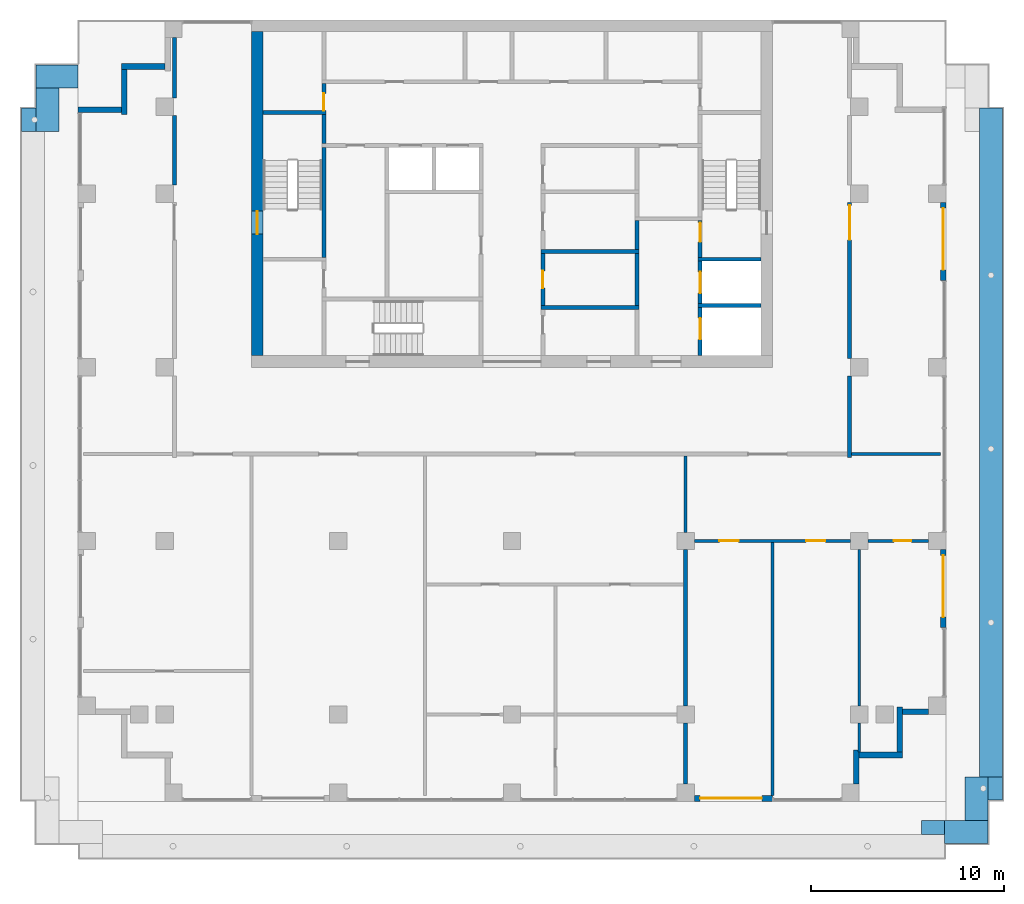
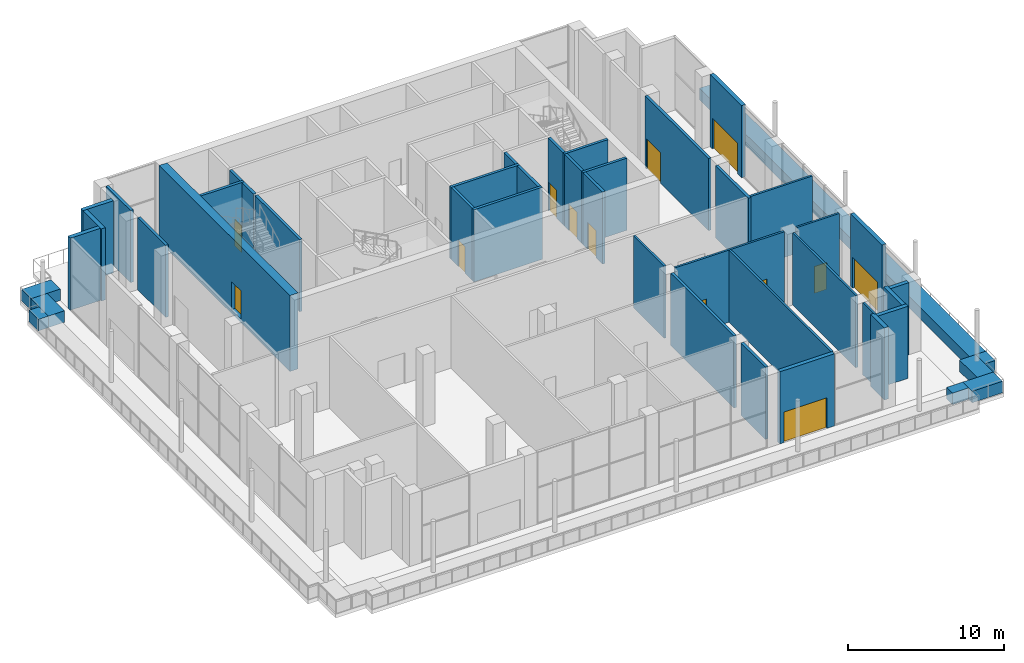
# One storey, part 8 of 13: 46 walls, 13 doors, 13 openings.
"""IFC4 building model written with IfcOpenShell, lengths in metres."""

from ifc_helpers import new_model, si_unit, direction, frame, frame_2d, origin, place, context, subcontext, project, spatial, rectangle, extrude, material, layer, layer_set, type_object, element, fill, save


model = new_model("IFC4")

# Units and contexts
model_context = context("Model", 3, precision=1e-05, world=origin(), true_north=direction((0.0, 1.0)))
body_context = subcontext(model_context, "Body", "Model", "MODEL_VIEW")
ifc_project = project(units=[si_unit("LENGTHUNIT", "METRE"), si_unit("AREAUNIT", "SQUARE_METRE"), si_unit("VOLUMEUNIT", "CUBIC_METRE"), si_unit("PLANEANGLEUNIT", "RADIAN"), si_unit("MASSUNIT", "GRAM", prefix="KILO")], contexts=[model_context])

# Site, building, storey
site_placement = place(None, origin())
site = spatial("IfcSite", under=ifc_project, at=site_placement, CompositionType="ELEMENT")
building_placement = place(site_placement, origin())
building = spatial("IfcBuilding", under=site, at=building_placement, Name="Orbiselva Terraces", CompositionType="ELEMENT")
storey_placement = place(building_placement, frame((0.0, 0.0, 297.4)))
storey = spatial("IfcBuildingStorey", under=building, at=storey_placement, Name="L74", CompositionType="ELEMENT", Elevation=297.4)

# Wall, opening, door
ifc_material_1 = material(Name="Concrete C80/95", Category="concrete")
ifc_layer_1 = layer(ifc_material_1, 0.6)
ifc_layer_set_1 = layer_set([ifc_layer_1], Name="Concrete C80/95")
wall_type_1 = type_object("IfcWallType", Name="CORE WALL 600", PredefinedType="SHEAR", material=ifc_layer_set_1)
wall_1_placement = place(storey_placement, frame((-13.2, 21.9, -0.3), z_axis=(0.0, 0.0, 1.0), x_axis=(0.0, -1.0, 0.0)))
wall_1 = element("IfcWall", 1, at=wall_1_placement, inside=storey, type_object=wall_type_1, Name="Core wall L74 west", PredefinedType="SHEAR", context=body_context, shape_type="SweptSolid", body=[
    extrude(rectangle(XDim=16.8, YDim=0.6, at=frame_2d((8.4, 0.0))), origin(), (0.0, 0.0, 1.0), 5.95),
])
opening_1_placement = place(wall_1_placement, frame((9.3, 0.0, 0.3)))
opening_1 = element("IfcOpeningElement", 2, at=opening_1_placement, cuts=wall_1, Name="Opening DS1200", PredefinedType="OPENING", context=body_context, shape_type="SweptSolid", body=[
    extrude(rectangle(XDim=1.2, YDim=2.2, at=frame_2d((0.6, 1.1))), frame((0.0, 0.31, 0.0), z_axis=(0.0, -1.0, 0.0), x_axis=(1.0, 0.0, 0.0)), (0.0, 0.0, 1.0), 0.62),
])
ifc_material_2 = material(Name="Steel fire door", Category="steel")
door_type_1 = type_object("IfcDoorType", Name="STAIR DOOR 1200", OperationType="NOTDEFINED", PredefinedType="DOOR", material=ifc_material_2)
door_1_placement = place(opening_1_placement, frame((1.2, 0.0, 0.0), z_axis=(0.0, 0.0, 1.0), x_axis=(-1.0, 0.0, 0.0)))
door_1 = element("IfcDoor", 3, at=door_1_placement, inside=storey, type_object=door_type_1, Name="L74 EXIT STAIR S1 door", OperationType="SINGLE_SWING_RIGHT", OverallHeight=2.2, OverallWidth=1.2, PredefinedType="DOOR", context=body_context, shape_type="SweptSolid", body=[
    extrude(rectangle(XDim=1.2, YDim=2.2, at=frame_2d((0.6, 1.1))), frame((0.0, 0.025, 0.0), z_axis=(0.0, -1.0, 0.0), x_axis=(1.0, 0.0, 0.0)), (0.0, 0.0, 1.0), 0.05),
])
fill(opening_1, door_1)

ifc_material_3 = material(Name="Masonry blockwork", Category="masonry")
ifc_layer_2 = layer(ifc_material_3, 0.2)
ifc_layer_set_2 = layer_set([ifc_layer_2], Name="Masonry blockwork")
wall_type_2 = type_object("IfcWallType", Name="CORE-WALL-PARTITION-200", PredefinedType="PARTITIONING", material=ifc_layer_set_2)
wall_2_placement = place(storey_placement, frame((-9.75, 17.8, 0.0), z_axis=(0.0, 0.0, 1.0), x_axis=(0.0, 1.0, 0.0)))
wall_2 = element("IfcWall", 4, at=wall_2_placement, inside=storey, type_object=wall_type_2, Name="L74 core wall 09", PredefinedType="PARTITIONING", context=body_context, shape_type="SweptSolid", body=[
    extrude(rectangle(XDim=1.4, YDim=0.2, at=frame_2d((0.7, 0.0))), origin(), (0.0, 0.0, 1.0), 5.65),
])
opening_2_placement = place(wall_2_placement, origin())
opening_2 = element("IfcOpeningElement", 5, at=opening_2_placement, cuts=wall_2, Name="Opening DR900", PredefinedType="OPENING", context=body_context, shape_type="SweptSolid", body=[
    extrude(rectangle(XDim=0.9, YDim=2.1, at=frame_2d((0.45, 1.05))), frame((0.0, 0.11, 0.0), z_axis=(0.0, -1.0, 0.0), x_axis=(1.0, 0.0, 0.0)), (0.0, 0.0, 1.0), 0.22),
])
door_type_2 = type_object("IfcDoorType", Name="ROOM DOOR 900", OperationType="NOTDEFINED", PredefinedType="DOOR", material=ifc_material_2)
door_2_placement = place(opening_2_placement, origin())
door_2 = element("IfcDoor", 6, at=door_2_placement, inside=storey, type_object=door_type_2, Name="L74 CLEANERS STORE door", OperationType="SINGLE_SWING_LEFT", OverallHeight=2.1, OverallWidth=0.9, PredefinedType="DOOR", context=body_context, shape_type="SweptSolid", body=[
    extrude(rectangle(XDim=0.9, YDim=2.1, at=frame_2d((0.45, 1.05))), frame((0.0, 0.025, 0.0), z_axis=(0.0, -1.0, 0.0), x_axis=(1.0, 0.0, 0.0)), (0.0, 0.0, 1.0), 0.05),
])
fill(opening_2, door_2)

wall_3_placement = place(storey_placement, frame((1.6, 10.4, 0.0), z_axis=(0.0, 0.0, 1.0), x_axis=(0.0, -1.0, 0.0)))
wall_3 = element("IfcWall", 7, at=wall_3_placement, inside=storey, type_object=wall_type_2, Name="L74 core wall 23", PredefinedType="PARTITIONING", context=body_context, shape_type="SweptSolid", body=[
    extrude(rectangle(XDim=2.7, YDim=0.2, at=frame_2d((1.35, 0.0))), origin(), (0.0, 0.0, 1.0), 5.65),
])
opening_3_placement = place(wall_3_placement, frame((0.9, 0.0, 0.0)))
opening_3 = element("IfcOpeningElement", 8, at=opening_3_placement, cuts=wall_3, Name="Opening DR900", PredefinedType="OPENING", context=body_context, shape_type="SweptSolid", body=[
    extrude(rectangle(XDim=0.9, YDim=2.1, at=frame_2d((0.45, 1.05))), frame((0.0, 0.11, 0.0), z_axis=(0.0, -1.0, 0.0), x_axis=(1.0, 0.0, 0.0)), (0.0, 0.0, 1.0), 0.22),
])
door_3_placement = place(opening_3_placement, origin())
door_3 = element("IfcDoor", 9, at=door_3_placement, inside=storey, type_object=door_type_2, Name="L74 SERVICE PANTRY door", OperationType="SINGLE_SWING_LEFT", OverallHeight=2.1, OverallWidth=0.9, PredefinedType="DOOR", context=body_context, shape_type="SweptSolid", body=[
    extrude(rectangle(XDim=0.9, YDim=2.1, at=frame_2d((0.45, 1.05))), frame((0.0, 0.025, 0.0), z_axis=(0.0, -1.0, 0.0), x_axis=(1.0, 0.0, 0.0)), (0.0, 0.0, 1.0), 0.05),
])
fill(opening_3, door_3)

# Walls
ifc_material_4 = material(Name="Concrete C60/75", Category="concrete")
ifc_layer_3 = layer(ifc_material_4, 0.2)
ifc_layer_set_3 = layer_set([ifc_layer_3], Name="Concrete C60/75")
wall_type_3 = type_object("IfcWallType", Name="CORE-WALL-SHEAR-200", PredefinedType="SHEAR", material=ifc_layer_set_3)
wall_4_placement = place(storey_placement, frame((-12.9, 17.7, 0.0), z_axis=(0.0, 0.0, 1.0), x_axis=(1.0, 0.0, 0.0)))
element("IfcWall", 10, at=wall_4_placement, inside=storey, type_object=wall_type_3, Name="L74 core wall 02", PredefinedType="SHEAR", context=body_context, shape_type="SweptSolid", body=[
    extrude(rectangle(XDim=3.25, YDim=0.2, at=frame_2d((1.625, 0.0))), origin(), (0.0, 0.0, 1.0), 5.65),
])
wall_5_placement = place(storey_placement, frame((-9.75, 10.2, 0.0), z_axis=(0.0, 0.0, 1.0), x_axis=(0.0, 1.0, 0.0)))
element("IfcWall", 11, at=wall_5_placement, inside=storey, type_object=wall_type_3, Name="L74 core wall 06", PredefinedType="SHEAR", context=body_context, shape_type="SweptSolid", body=[
    extrude(rectangle(XDim=5.7, YDim=0.2, at=frame_2d((2.85, 0.0))), origin(), (0.0, 0.0, 1.0), 5.65),
])
wall_6_placement = place(storey_placement, frame((-9.75, 16.1, 0.0), z_axis=(0.0, 0.0, 1.0), x_axis=(0.0, 1.0, 0.0)))
element("IfcWall", 12, at=wall_6_placement, inside=storey, type_object=wall_type_3, Name="L74 core wall 08", PredefinedType="SHEAR", context=body_context, shape_type="SweptSolid", body=[
    extrude(rectangle(XDim=1.5, YDim=0.2, at=frame_2d((0.75, 0.0))), origin(), (0.0, 0.0, 1.0), 5.65),
])
for number, where, z_axis, x_axis, name in (
    (13, (1.5, 7.6, 0.0), (0.0, 0.0, 1.0), (1.0, 0.0, 0.0), "L74 core wall 22"),
    (14, (1.5, 10.5, 0.0), (0.0, 0.0, 1.0), (1.0, 0.0, 0.0), "L74 core wall 24"),
):
    element("IfcWall", number, at=place(storey_placement, frame(where, z_axis=z_axis, x_axis=x_axis)), inside=storey, type_object=wall_type_3, Name=name, PredefinedType="SHEAR", context=body_context, shape_type="SweptSolid", body=[
        extrude(rectangle(XDim=5.075, YDim=0.2, at=frame_2d((2.5375, 0.0))), origin(), (0.0, 0.0, 1.0), 5.65),
    ])
wall_7_placement = place(storey_placement, frame((6.475, 7.7, 0.0), z_axis=(0.0, 0.0, 1.0), x_axis=(0.0, 1.0, 0.0)))
element("IfcWall", 15, at=wall_7_placement, inside=storey, type_object=wall_type_3, Name="L74 core wall 31", PredefinedType="SHEAR", context=body_context, shape_type="SweptSolid", body=[
    extrude(rectangle(XDim=2.7, YDim=0.2, at=frame_2d((1.35, 0.0))), origin(), (0.0, 0.0, 1.0), 5.65),
])
wall_8_placement = place(storey_placement, frame((6.475, 10.6, 0.0), z_axis=(0.0, 0.0, 1.0), x_axis=(0.0, 1.0, 0.0)))
element("IfcWall", 16, at=wall_8_placement, inside=storey, type_object=wall_type_3, Name="L74 core wall 32", PredefinedType="SHEAR", context=body_context, shape_type="SweptSolid", body=[
    extrude(rectangle(XDim=1.5, YDim=0.2, at=frame_2d((0.75, 0.0))), origin(), (0.0, 0.0, 1.0), 5.65),
])

# Wall, opening, door
wall_9_placement = place(storey_placement, frame((9.75, 5.1, 0.0), z_axis=(0.0, 0.0, 1.0), x_axis=(0.0, 1.0, 0.0)))
wall_9 = element("IfcWall", 17, at=wall_9_placement, inside=storey, type_object=wall_type_3, Name="L74 core wall 36", PredefinedType="SHEAR", context=body_context, shape_type="SweptSolid", body=[
    extrude(rectangle(XDim=2.5, YDim=0.2, at=frame_2d((1.25, 0.0))), origin(), (0.0, 0.0, 1.0), 5.65),
])
opening_4_placement = place(wall_9_placement, frame((0.85, 0.0, 0.0)))
opening_4 = element("IfcOpeningElement", 18, at=opening_4_placement, cuts=wall_9, Name="Opening LD-FF1", PredefinedType="OPENING", context=body_context, shape_type="SweptSolid", body=[
    extrude(rectangle(XDim=1.1, YDim=2.1, at=frame_2d((0.55, 1.05))), frame((0.0, 0.11, 0.0), z_axis=(0.0, -1.0, 0.0), x_axis=(1.0, 0.0, 0.0)), (0.0, 0.0, 1.0), 0.22),
])
ifc_material_5 = material(Name="Stainless steel landing door", Category="steel")
door_type_3 = type_object("IfcDoorType", Name="LANDING DOOR 1100", OperationType="SLIDING_TO_LEFT", PredefinedType="DOOR", material=ifc_material_5)
door_4_placement = place(opening_4_placement, origin())
door_4 = element("IfcDoor", 19, at=door_4_placement, inside=storey, type_object=door_type_3, Name="L74 landing door FF1", OperationType="SLIDING_TO_RIGHT", OverallHeight=2.1, OverallWidth=1.1, PredefinedType="DOOR", context=body_context, shape_type="SweptSolid", body=[
    extrude(rectangle(XDim=1.1, YDim=2.1, at=frame_2d((0.55, 1.05))), frame((0.0, 0.025, 0.0), z_axis=(0.0, -1.0, 0.0), x_axis=(1.0, 0.0, 0.0)), (0.0, 0.0, 1.0), 0.05),
])
fill(opening_4, door_4)

# Wall
wall_10_placement = place(storey_placement, frame((9.65, 7.7, 0.0), z_axis=(0.0, 0.0, 1.0), x_axis=(1.0, 0.0, 0.0)))
element("IfcWall", 20, at=wall_10_placement, inside=storey, type_object=wall_type_3, Name="L74 core wall 37", PredefinedType="SHEAR", context=body_context, shape_type="SweptSolid", body=[
    extrude(rectangle(XDim=3.25, YDim=0.2, at=frame_2d((1.625, 0.0))), origin(), (0.0, 0.0, 1.0), 5.65),
])

# Wall, opening, door
wall_11_placement = place(storey_placement, frame((9.75, 7.8, 0.0), z_axis=(0.0, 0.0, 1.0), x_axis=(0.0, 1.0, 0.0)))
wall_11 = element("IfcWall", 21, at=wall_11_placement, inside=storey, type_object=wall_type_3, Name="L74 core wall 38", PredefinedType="SHEAR", context=body_context, shape_type="SweptSolid", body=[
    extrude(rectangle(XDim=2.2, YDim=0.2, at=frame_2d((1.1, 0.0))), origin(), (0.0, 0.0, 1.0), 5.65),
])
opening_5_placement = place(wall_11_placement, frame((0.55, 0.0, 0.0)))
opening_5 = element("IfcOpeningElement", 22, at=opening_5_placement, cuts=wall_11, Name="Opening LD-FF2", PredefinedType="OPENING", context=body_context, shape_type="SweptSolid", body=[
    extrude(rectangle(XDim=1.1, YDim=2.1, at=frame_2d((0.55, 1.05))), frame((0.0, 0.11, 0.0), z_axis=(0.0, -1.0, 0.0), x_axis=(1.0, 0.0, 0.0)), (0.0, 0.0, 1.0), 0.22),
])
door_5_placement = place(opening_5_placement, origin())
door_5 = element("IfcDoor", 23, at=door_5_placement, inside=storey, type_object=door_type_3, Name="L74 landing door FF2", OperationType="SLIDING_TO_RIGHT", OverallHeight=2.1, OverallWidth=1.1, PredefinedType="DOOR", context=body_context, shape_type="SweptSolid", body=[
    extrude(rectangle(XDim=1.1, YDim=2.1, at=frame_2d((0.55, 1.05))), frame((0.0, 0.025, 0.0), z_axis=(0.0, -1.0, 0.0), x_axis=(1.0, 0.0, 0.0)), (0.0, 0.0, 1.0), 0.05),
])
fill(opening_5, door_5)

# Wall
wall_12_placement = place(storey_placement, frame((9.65, 10.1, 0.0), z_axis=(0.0, 0.0, 1.0), x_axis=(1.0, 0.0, 0.0)))
element("IfcWall", 24, at=wall_12_placement, inside=storey, type_object=wall_type_3, Name="L74 core wall 39", PredefinedType="SHEAR", context=body_context, shape_type="SweptSolid", body=[
    extrude(rectangle(XDim=3.25, YDim=0.2, at=frame_2d((1.625, 0.0))), origin(), (0.0, 0.0, 1.0), 5.65),
])

# Wall, opening, door
wall_13_placement = place(storey_placement, frame((9.75, 12.1, 0.0), z_axis=(0.0, 0.0, 1.0), x_axis=(0.0, -1.0, 0.0)))
wall_13 = element("IfcWall", 25, at=wall_13_placement, inside=storey, type_object=wall_type_3, Name="L74 core wall 40", PredefinedType="SHEAR", context=body_context, shape_type="SweptSolid", body=[
    extrude(rectangle(XDim=1.9, YDim=0.2, at=frame_2d((0.95, 0.0))), origin(), (0.0, 0.0, 1.0), 5.65),
])
opening_6_placement = place(wall_13_placement, frame((0.1, 0.0, 0.0)))
opening_6 = element("IfcOpeningElement", 26, at=opening_6_placement, cuts=wall_13, Name="Opening DS1000", PredefinedType="OPENING", context=body_context, shape_type="SweptSolid", body=[
    extrude(rectangle(XDim=1.0, YDim=2.2, at=frame_2d((0.5, 1.1))), frame((0.0, 0.11, 0.0), z_axis=(0.0, -1.0, 0.0), x_axis=(1.0, 0.0, 0.0)), (0.0, 0.0, 1.0), 0.22),
])
door_type_4 = type_object("IfcDoorType", Name="STAIR DOOR 1000", OperationType="NOTDEFINED", PredefinedType="DOOR", material=ifc_material_2)
door_6_placement = place(opening_6_placement, origin())
door_6 = element("IfcDoor", 27, at=door_6_placement, inside=storey, type_object=door_type_4, Name="L74 FIRE-FIGHTING LOBBY TO EXIT STAIR S2 door", OperationType="SINGLE_SWING_LEFT", OverallHeight=2.2, OverallWidth=1.0, PredefinedType="DOOR", context=body_context, shape_type="SweptSolid", body=[
    extrude(rectangle(XDim=1.0, YDim=2.2, at=frame_2d((0.5, 1.1))), frame((0.0, 0.025, 0.0), z_axis=(0.0, -1.0, 0.0), x_axis=(1.0, 0.0, 0.0)), (0.0, 0.0, 1.0), 0.05),
])
fill(opening_6, door_6)

# Walls
ifc_material_6 = material(Name="Concrete C40/50", Category="concrete")
ifc_layer_4 = layer(ifc_material_6, 1.2)
ifc_layer_set_4 = layer_set([ifc_layer_4], Name="Concrete C40/50")
wall_type_4 = type_object("IfcWallType", Name="ENV-GARDEN-BED-1200x900", PredefinedType="USERDEFINED", material=ifc_layer_set_4)
wall_14_placement = place(storey_placement, frame((-22.5, 19.58, 0.0), z_axis=(0.0, 0.0, 1.0), x_axis=(-1.0, 0.0, 0.0)))
element("IfcWall", 28, at=wall_14_placement, inside=storey, type_object=wall_type_4, Name="Planter bed L74 ring", ObjectType="PLANTER", PredefinedType="USERDEFINED", context=body_context, shape_type="SweptSolid", body=[
    extrude(rectangle(XDim=2.18, YDim=1.2, at=frame_2d((1.09, 0.0))), origin(), (0.0, 0.0, 1.0), 0.9),
])
wall_15_placement = place(storey_placement, frame((-24.08, 18.98, 0.0), z_axis=(0.0, 0.0, 1.0), x_axis=(0.0, -1.0, 0.0)))
element("IfcWall", 29, at=wall_15_placement, inside=storey, type_object=wall_type_4, Name="Planter bed L74 ring", ObjectType="PLANTER", PredefinedType="USERDEFINED", context=body_context, shape_type="SweptSolid", body=[
    extrude(rectangle(XDim=2.25, YDim=1.2, at=frame_2d((1.125, 0.0))), origin(), (0.0, 0.0, 1.0), 0.9),
])
for number, where, z_axis, x_axis, name in (
    (30, (-24.68, 17.33, 0.0), (0.0, 0.0, 1.0), (-1.0, 0.0, 0.0), "Planter bed L74 ring"),
    (31, (21.83, -19.73, 0.0), (0.0, 0.0, 1.0), (0.0, 1.0, 0.0), "Planter bed L74 ring"),
):
    element("IfcWall", number, at=place(storey_placement, frame(where, z_axis=z_axis, x_axis=x_axis)), inside=storey, type_object=wall_type_4, Name=name, ObjectType="PLANTER", PredefinedType="USERDEFINED", context=body_context, shape_type="SweptSolid", body=[
        extrude(rectangle(XDim=0.75, YDim=1.2, at=frame_2d((0.375, 0.0))), origin(), (0.0, 0.0, 1.0), 0.9),
    ])
for number, where, z_axis, x_axis, name in (
    (32, (22.43, -19.58, 0.0), (0.0, 0.0, 1.0), (1.0, 0.0, 0.0), "Planter bed L74 ring"),
    (33, (24.08, -18.98, 0.0), (0.0, 0.0, 1.0), (0.0, 1.0, 0.0), "Planter bed L74 ring"),
):
    element("IfcWall", number, at=place(storey_placement, frame(where, z_axis=z_axis, x_axis=x_axis)), inside=storey, type_object=wall_type_4, Name=name, ObjectType="PLANTER", PredefinedType="USERDEFINED", context=body_context, shape_type="SweptSolid", body=[
        extrude(rectangle(XDim=2.25, YDim=1.2, at=frame_2d((1.125, 0.0))), origin(), (0.0, 0.0, 1.0), 0.9),
    ])
wall_16_placement = place(storey_placement, frame((24.68, -17.33, 0.0), z_axis=(0.0, 0.0, 1.0), x_axis=(1.0, 0.0, 0.0)))
element("IfcWall", 34, at=wall_16_placement, inside=storey, type_object=wall_type_4, Name="Planter bed L74 ring", ObjectType="PLANTER", PredefinedType="USERDEFINED", context=body_context, shape_type="SweptSolid", body=[
    extrude(rectangle(XDim=0.75, YDim=1.2, at=frame_2d((0.375, 0.0))), origin(), (0.0, 0.0, 1.0), 0.9),
])
wall_17_placement = place(storey_placement, frame((24.83, -16.73, 0.0), z_axis=(0.0, 0.0, 1.0), x_axis=(0.0, 1.0, 0.0)))
element("IfcWall", 35, at=wall_17_placement, inside=storey, type_object=wall_type_4, Name="Planter bed L74 ring", ObjectType="PLANTER", PredefinedType="USERDEFINED", context=body_context, shape_type="SweptSolid", body=[
    extrude(rectangle(XDim=34.66, YDim=1.2, at=frame_2d((17.33, 0.0))), origin(), (0.0, 0.0, 1.0), 0.9),
])

# Wall, opening, door
ifc_material_7 = material(Name="Terracotta cladding on masonry backing", Category="masonry")
ifc_layer_5 = layer(ifc_material_7, 0.3)
ifc_layer_set_5 = layer_set([ifc_layer_5], Name="Terracotta cladding on masonry backing")
wall_type_5 = type_object("IfcWallType", Name="ENV-WALL-TERRACOTTA-300", PredefinedType="SOLIDWALL", material=ifc_layer_set_5)
wall_18_placement = place(storey_placement, frame((13.5, -17.85, 0.0), z_axis=(0.0, 0.0, 1.0), x_axis=(-1.0, 0.0, 0.0)))
wall_18 = element("IfcWall", 36, at=wall_18_placement, inside=storey, type_object=wall_type_5, Name="Facade wall L74 S", PredefinedType="SOLIDWALL", context=body_context, shape_type="SweptSolid", body=[
    extrude(rectangle(XDim=4.05, YDim=0.3, at=frame_2d((2.025, 0.0))), origin(), (0.0, 0.0, 1.0), 5.65),
])
opening_7_placement = place(wall_18_placement, frame((0.55, 0.0, 0.0)))
opening_7 = element("IfcOpeningElement", 37, at=opening_7_placement, cuts=wall_18, Name="Opening LOOKOUT-E02", PredefinedType="OPENING", context=body_context, shape_type="SweptSolid", body=[
    extrude(rectangle(XDim=3.2, YDim=2.4, at=frame_2d((1.6, 1.2))), frame((0.0, 0.16, 0.0), z_axis=(0.0, -1.0, 0.0), x_axis=(1.0, 0.0, 0.0)), (0.0, 0.0, 1.0), 0.32),
])
ifc_material_8 = material(Name="Clear low-e glazing in aluminium frame", Category="aluminium")
door_type_5 = type_object("IfcDoorType", Name="TERRACE DOOR 3200 X 2400", OperationType="DOUBLE_DOOR_SINGLE_SWING", PredefinedType="DOOR", material=ifc_material_8)
door_7_placement = place(opening_7_placement, origin())
door_7 = element("IfcDoor", 38, at=door_7_placement, inside=storey, type_object=door_type_5, Name="LOOKOUT-E02", OperationType="SINGLE_SWING_LEFT", OverallHeight=2.4, OverallWidth=3.2, PredefinedType="DOOR", context=body_context, shape_type="SweptSolid", body=[
    extrude(rectangle(XDim=3.2, YDim=2.4, at=frame_2d((1.6, 1.2))), frame((0.0, 0.025, 0.0), z_axis=(0.0, -1.0, 0.0), x_axis=(1.0, 0.0, 0.0)), (0.0, 0.0, 1.0), 0.05),
])
fill(opening_7, door_7)

# Walls
wall_19_placement = place(storey_placement, frame((17.85, -15.35, 0.0), z_axis=(0.0, 0.0, 1.0), x_axis=(0.0, -1.0, 0.0)))
element("IfcWall", 39, at=wall_19_placement, inside=storey, type_object=wall_type_5, Name="Facade wall L74 STEP", PredefinedType="SOLIDWALL", context=body_context, shape_type="SweptSolid", body=[
    extrude(rectangle(XDim=1.75, YDim=0.3, at=frame_2d((0.875, 0.0))), origin(), (0.0, 0.0, 1.0), 5.65),
])
wall_20_placement = place(storey_placement, frame((20.25, -15.6, 0.0), z_axis=(0.0, 0.0, 1.0), x_axis=(-1.0, 0.0, 0.0)))
element("IfcWall", 40, at=wall_20_placement, inside=storey, type_object=wall_type_5, Name="Facade wall L74 STEP", PredefinedType="SOLIDWALL", context=body_context, shape_type="SweptSolid", body=[
    extrude(rectangle(XDim=2.25, YDim=0.3, at=frame_2d((1.125, 0.0))), origin(), (0.0, 0.0, 1.0), 5.65),
])
wall_21_placement = place(storey_placement, frame((20.1, -13.1, 0.0), z_axis=(0.0, 0.0, 1.0), x_axis=(0.0, -1.0, 0.0)))
element("IfcWall", 41, at=wall_21_placement, inside=storey, type_object=wall_type_5, Name="Facade wall L74 STEP", PredefinedType="SOLIDWALL", context=body_context, shape_type="SweptSolid", body=[
    extrude(rectangle(XDim=2.35, YDim=0.3, at=frame_2d((1.175, 0.0))), origin(), (0.0, 0.0, 1.0), 5.65),
])
wall_22_placement = place(storey_placement, frame((21.6, -13.35, 0.0), z_axis=(0.0, 0.0, 1.0), x_axis=(-1.0, 0.0, 0.0)))
element("IfcWall", 42, at=wall_22_placement, inside=storey, type_object=wall_type_5, Name="Facade wall L74 STEP", PredefinedType="SOLIDWALL", context=body_context, shape_type="SweptSolid", body=[
    extrude(rectangle(XDim=1.35, YDim=0.3, at=frame_2d((0.675, 0.0))), origin(), (0.0, 0.0, 1.0), 5.65),
])

# Wall, opening, door
wall_23_placement = place(storey_placement, frame((22.35, -4.95, 0.0), z_axis=(0.0, 0.0, 1.0), x_axis=(0.0, -1.0, 0.0)))
wall_23 = element("IfcWall", 43, at=wall_23_placement, inside=storey, type_object=wall_type_5, Name="Facade wall L74 E", PredefinedType="SOLIDWALL", context=body_context, shape_type="SweptSolid", body=[
    extrude(rectangle(XDim=4.05, YDim=0.3, at=frame_2d((2.025, 0.0))), origin(), (0.0, 0.0, 1.0), 5.65),
])
opening_8_placement = place(wall_23_placement, frame((0.3, 0.0, 0.0)))
opening_8 = element("IfcOpeningElement", 44, at=opening_8_placement, cuts=wall_23, Name="Opening LOOKOUT-E03", PredefinedType="OPENING", context=body_context, shape_type="SweptSolid", body=[
    extrude(rectangle(XDim=3.2, YDim=2.4, at=frame_2d((1.6, 1.2))), frame((0.0, 0.16, 0.0), z_axis=(0.0, -1.0, 0.0), x_axis=(1.0, 0.0, 0.0)), (0.0, 0.0, 1.0), 0.32),
])
door_8_placement = place(opening_8_placement, origin())
door_8 = element("IfcDoor", 45, at=door_8_placement, inside=storey, type_object=door_type_5, Name="LOOKOUT-E03", OperationType="SINGLE_SWING_LEFT", OverallHeight=2.4, OverallWidth=3.2, PredefinedType="DOOR", context=body_context, shape_type="SweptSolid", body=[
    extrude(rectangle(XDim=3.2, YDim=2.4, at=frame_2d((1.6, 1.2))), frame((0.0, 0.025, 0.0), z_axis=(0.0, -1.0, 0.0), x_axis=(1.0, 0.0, 0.0)), (0.0, 0.0, 1.0), 0.05),
])
fill(opening_8, door_8)

wall_24_placement = place(storey_placement, frame((22.35, 13.05, 0.0), z_axis=(0.0, 0.0, 1.0), x_axis=(0.0, -1.0, 0.0)))
wall_24 = element("IfcWall", 46, at=wall_24_placement, inside=storey, type_object=wall_type_5, Name="Facade wall L74 E", PredefinedType="SOLIDWALL", context=body_context, shape_type="SweptSolid", body=[
    extrude(rectangle(XDim=4.05, YDim=0.3, at=frame_2d((2.025, 0.0))), origin(), (0.0, 0.0, 1.0), 5.65),
])
opening_9_placement = place(wall_24_placement, frame((0.3, 0.0, 0.0)))
opening_9 = element("IfcOpeningElement", 47, at=opening_9_placement, cuts=wall_24, Name="Opening LOOKOUT-E04", PredefinedType="OPENING", context=body_context, shape_type="SweptSolid", body=[
    extrude(rectangle(XDim=3.2, YDim=2.4, at=frame_2d((1.6, 1.2))), frame((0.0, 0.16, 0.0), z_axis=(0.0, -1.0, 0.0), x_axis=(1.0, 0.0, 0.0)), (0.0, 0.0, 1.0), 0.32),
])
door_9_placement = place(opening_9_placement, origin())
door_9 = element("IfcDoor", 48, at=door_9_placement, inside=storey, type_object=door_type_5, Name="LOOKOUT-E04", OperationType="SINGLE_SWING_LEFT", OverallHeight=2.4, OverallWidth=3.2, PredefinedType="DOOR", context=body_context, shape_type="SweptSolid", body=[
    extrude(rectangle(XDim=3.2, YDim=2.4, at=frame_2d((1.6, 1.2))), frame((0.0, 0.025, 0.0), z_axis=(0.0, -1.0, 0.0), x_axis=(1.0, 0.0, 0.0)), (0.0, 0.0, 1.0), 0.05),
])
fill(opening_9, door_9)

# Walls
wall_25_placement = place(storey_placement, frame((-20.25, 20.1, 0.0), z_axis=(0.0, 0.0, 1.0), x_axis=(1.0, 0.0, 0.0)))
element("IfcWall", 49, at=wall_25_placement, inside=storey, type_object=wall_type_5, Name="Facade wall L74 STEP", PredefinedType="SOLIDWALL", context=body_context, shape_type="SweptSolid", body=[
    extrude(rectangle(XDim=2.25, YDim=0.3, at=frame_2d((1.125, 0.0))), origin(), (0.0, 0.0, 1.0), 5.65),
])
wall_26_placement = place(storey_placement, frame((-20.1, 17.6, 0.0), z_axis=(0.0, 0.0, 1.0), x_axis=(0.0, 1.0, 0.0)))
element("IfcWall", 50, at=wall_26_placement, inside=storey, type_object=wall_type_5, Name="Facade wall L74 STEP", PredefinedType="SOLIDWALL", context=body_context, shape_type="SweptSolid", body=[
    extrude(rectangle(XDim=2.35, YDim=0.3, at=frame_2d((1.175, 0.0))), origin(), (0.0, 0.0, 1.0), 5.65),
])
wall_27_placement = place(storey_placement, frame((-22.5, 17.85, 0.0), z_axis=(0.0, 0.0, 1.0), x_axis=(1.0, 0.0, 0.0)))
element("IfcWall", 51, at=wall_27_placement, inside=storey, type_object=wall_type_5, Name="Facade wall L74 STEP", PredefinedType="SOLIDWALL", context=body_context, shape_type="SweptSolid", body=[
    extrude(rectangle(XDim=2.25, YDim=0.3, at=frame_2d((1.125, 0.0))), origin(), (0.0, 0.0, 1.0), 5.65),
])
ifc_material_9 = material(Name="Plasterboard on steel stud partition", Category="steel")
ifc_layer_6 = layer(ifc_material_9, 0.2)
ifc_layer_set_6 = layer_set([ifc_layer_6], Name="Plasterboard on steel stud partition")
wall_type_6 = type_object("IfcWallType", Name="UNIT-ENTRANCE-WALL-200", PredefinedType="PARTITIONING", material=ifc_layer_set_6)
wall_28_placement = place(storey_placement, frame((-17.5, 13.95, 0.0), z_axis=(0.0, 0.0, 1.0), x_axis=(0.0, 1.0, 0.0)))
element("IfcWall", 52, at=wall_28_placement, inside=storey, type_object=wall_type_6, Name="PARTITION L74-013", PredefinedType="PARTITIONING", context=body_context, shape_type="SweptSolid", body=[
    extrude(rectangle(XDim=3.6, YDim=0.2, at=frame_2d((1.8, 0.0))), origin(), (0.0, 0.0, 1.0), 5.65),
])
wall_29_placement = place(storey_placement, frame((-17.5, 18.45, 0.0), z_axis=(0.0, 0.0, 1.0), x_axis=(0.0, 1.0, 0.0)))
element("IfcWall", 53, at=wall_29_placement, inside=storey, type_object=wall_type_6, Name="PARTITION L74-014", PredefinedType="PARTITIONING", context=body_context, shape_type="SweptSolid", body=[
    extrude(rectangle(XDim=3.15, YDim=0.2, at=frame_2d((1.575, 0.0))), origin(), (0.0, 0.0, 1.0), 5.65),
])
wall_30_placement = place(storey_placement, frame((17.5, -0.175, 0.0), z_axis=(0.0, 0.0, 1.0), x_axis=(0.0, 1.0, 0.0)))
element("IfcWall", 54, at=wall_30_placement, inside=storey, type_object=wall_type_6, Name="PARTITION L74-022", PredefinedType="PARTITIONING", context=body_context, shape_type="SweptSolid", body=[
    extrude(rectangle(XDim=4.225, YDim=0.2, at=frame_2d((2.1125, 0.0))), origin(), (0.0, 0.0, 1.0), 5.65),
])

# Wall, opening, door
wall_31_placement = place(storey_placement, frame((17.5, 4.95, 0.0), z_axis=(0.0, 0.0, 1.0), x_axis=(0.0, 1.0, 0.0)))
wall_31 = element("IfcWall", 55, at=wall_31_placement, inside=storey, type_object=wall_type_6, Name="PARTITION L74-023", PredefinedType="PARTITIONING", context=body_context, shape_type="SweptSolid", body=[
    extrude(rectangle(XDim=8.1, YDim=0.2, at=frame_2d((4.05, 0.0))), origin(), (0.0, 0.0, 1.0), 5.65),
])
opening_10_placement = place(wall_31_placement, frame((6.15, 0.0, 0.0)))
opening_10 = element("IfcOpeningElement", 56, at=opening_10_placement, cuts=wall_31, Name="Opening LOOKOUT-06", PredefinedType="OPENING", context=body_context, shape_type="SweptSolid", body=[
    extrude(rectangle(XDim=1.8, YDim=2.4, at=frame_2d((0.9, 1.2))), frame((0.0, 0.11, 0.0), z_axis=(0.0, -1.0, 0.0), x_axis=(1.0, 0.0, 0.0)), (0.0, 0.0, 1.0), 0.22),
])
ifc_material_10 = material(Name="Painted timber door leaf", Category="wood")
door_type_6 = type_object("IfcDoorType", Name="DOUBLE DOOR 1800", OperationType="NOTDEFINED", PredefinedType="DOOR", material=ifc_material_10)
door_10_placement = place(opening_10_placement, origin())
door_10 = element("IfcDoor", 57, at=door_10_placement, inside=storey, type_object=door_type_6, Name="LOOKOUT-06", OperationType="DOUBLE_DOOR_SINGLE_SWING", OverallHeight=2.4, OverallWidth=1.8, PredefinedType="DOOR", context=body_context, shape_type="SweptSolid", body=[
    extrude(rectangle(XDim=1.8, YDim=2.4, at=frame_2d((0.9, 1.2))), frame((0.0, 0.025, 0.0), z_axis=(0.0, -1.0, 0.0), x_axis=(1.0, 0.0, 0.0)), (0.0, 0.0, 1.0), 0.05),
])
fill(opening_10, door_10)

# Walls
ifc_layer_7 = layer(ifc_material_9, 0.15)
ifc_layer_set_7 = layer_set([ifc_layer_7], Name="Plasterboard on steel stud partition")
wall_type_7 = type_object("IfcWallType", Name="UNIT-PARTITION-150", PredefinedType="PARTITIONING", material=ifc_layer_set_7)
wall_32_placement = place(storey_placement, frame((17.6, 0.0, 0.0), z_axis=(0.0, 0.0, 1.0), x_axis=(1.0, 0.0, 0.0)))
element("IfcWall", 58, at=wall_32_placement, inside=storey, type_object=wall_type_7, Name="PARTITION L74-010", PredefinedType="PARTITIONING", context=body_context, shape_type="SweptSolid", body=[
    extrude(rectangle(XDim=4.6, YDim=0.15, at=frame_2d((2.3, 0.0))), origin(), (0.0, 0.0, 1.0), 5.65),
])
wall_33_placement = place(storey_placement, frame((9.0, -4.05, 0.0), z_axis=(0.0, 0.0, 1.0), x_axis=(0.0, 1.0, 0.0)))
element("IfcWall", 59, at=wall_33_placement, inside=storey, type_object=wall_type_7, Name="PARTITION L74-018", PredefinedType="PARTITIONING", context=body_context, shape_type="SweptSolid", body=[
    extrude(rectangle(XDim=3.95, YDim=0.15, at=frame_2d((1.975, 0.0))), origin(), (0.0, 0.0, 1.0), 5.65),
])
wall_34_placement = place(storey_placement, frame((13.5, -17.7, 0.0), z_axis=(0.0, 0.0, 1.0), x_axis=(0.0, 1.0, 0.0)))
element("IfcWall", 60, at=wall_34_placement, inside=storey, type_object=wall_type_7, Name="PARTITION L74-021", PredefinedType="PARTITIONING", context=body_context, shape_type="SweptSolid", body=[
    extrude(rectangle(XDim=13.125, YDim=0.15, at=frame_2d((6.5625, 0.0))), origin(), (0.0, 0.0, 1.0), 5.65),
])
wall_35_placement = place(storey_placement, frame((18.0, -15.45, 0.0), z_axis=(0.0, 0.0, 1.0), x_axis=(0.0, 1.0, 0.0)))
element("IfcWall", 61, at=wall_35_placement, inside=storey, type_object=wall_type_7, Name="PARTITION L74-026", PredefinedType="PARTITIONING", context=body_context, shape_type="SweptSolid", body=[
    extrude(rectangle(XDim=1.5, YDim=0.15, at=frame_2d((0.75, 0.0))), origin(), (0.0, 0.0, 1.0), 5.65),
])
wall_36_placement = place(storey_placement, frame((18.0, -13.05, 0.0), z_axis=(0.0, 0.0, 1.0), x_axis=(0.0, 1.0, 0.0)))
element("IfcWall", 62, at=wall_36_placement, inside=storey, type_object=wall_type_7, Name="PARTITION L74-027", PredefinedType="PARTITIONING", context=body_context, shape_type="SweptSolid", body=[
    extrude(rectangle(XDim=8.1, YDim=0.15, at=frame_2d((4.05, 0.0))), origin(), (0.0, 0.0, 1.0), 5.65),
])

# Wall, openings, doors
ifc_layer_8 = layer(ifc_material_9, 0.15)
ifc_layer_set_8 = layer_set([ifc_layer_8], Name="Plasterboard on steel stud partition")
wall_type_8 = type_object("IfcWallType", Name="UNIT-PARTITION-FR-150", PredefinedType="PARTITIONING", material=ifc_layer_set_8)
wall_37_placement = place(storey_placement, frame((9.45, -4.5, 0.0), z_axis=(0.0, 0.0, 1.0), x_axis=(1.0, 0.0, 0.0)))
wall_37 = element("IfcWall", 63, at=wall_37_placement, inside=storey, type_object=wall_type_8, Name="PARTITION L74-006", PredefinedType="PARTITIONING", context=body_context, shape_type="SweptSolid", body=[
    extrude(rectangle(XDim=8.1, YDim=0.15, at=frame_2d((4.05, 0.0))), origin(), (0.0, 0.0, 1.0), 5.65),
])
opening_11_placement = place(wall_37_placement, frame((1.3, 0.0, 0.0)))
opening_11 = element("IfcOpeningElement", 64, at=opening_11_placement, cuts=wall_37, Name="Opening LOOKOUT-12", PredefinedType="OPENING", context=body_context, shape_type="SweptSolid", body=[
    extrude(rectangle(XDim=1.0, YDim=2.4, at=frame_2d((0.5, 1.2))), frame((0.0, 0.085, 0.0), z_axis=(0.0, -1.0, 0.0), x_axis=(1.0, 0.0, 0.0)), (0.0, 0.0, 1.0), 0.17),
])
opening_12_placement = place(wall_37_placement, frame((5.8, 0.0, 0.0)))
opening_12 = element("IfcOpeningElement", 65, at=opening_12_placement, cuts=wall_37, Name="Opening LOOKOUT-13", PredefinedType="OPENING", context=body_context, shape_type="SweptSolid", body=[
    extrude(rectangle(XDim=1.0, YDim=2.4, at=frame_2d((0.5, 1.2))), frame((0.0, 0.085, 0.0), z_axis=(0.0, -1.0, 0.0), x_axis=(1.0, 0.0, 0.0)), (0.0, 0.0, 1.0), 0.17),
])
door_type_7 = type_object("IfcDoorType", Name="ROOM DOOR 1000", OperationType="NOTDEFINED", PredefinedType="DOOR", material=ifc_material_10)
door_11_placement = place(opening_11_placement, origin())
door_11 = element("IfcDoor", 66, at=door_11_placement, inside=storey, type_object=door_type_7, Name="LOOKOUT-12", OperationType="SINGLE_SWING_LEFT", OverallHeight=2.4, OverallWidth=1.0, PredefinedType="DOOR", context=body_context, shape_type="SweptSolid", body=[
    extrude(rectangle(XDim=1.0, YDim=2.4, at=frame_2d((0.5, 1.2))), frame((0.0, 0.025, 0.0), z_axis=(0.0, -1.0, 0.0), x_axis=(1.0, 0.0, 0.0)), (0.0, 0.0, 1.0), 0.05),
])
fill(opening_11, door_11)
door_12_placement = place(opening_12_placement, origin())
door_12 = element("IfcDoor", 67, at=door_12_placement, inside=storey, type_object=door_type_7, Name="LOOKOUT-13", OperationType="SINGLE_SWING_RIGHT", OverallHeight=2.4, OverallWidth=1.0, PredefinedType="DOOR", context=body_context, shape_type="SweptSolid", body=[
    extrude(rectangle(XDim=1.0, YDim=2.4, at=frame_2d((0.5, 1.2))), frame((0.0, 0.025, 0.0), z_axis=(0.0, -1.0, 0.0), x_axis=(1.0, 0.0, 0.0)), (0.0, 0.0, 1.0), 0.05),
])
fill(opening_12, door_12)

# Wall, opening, door
wall_38_placement = place(storey_placement, frame((18.45, -4.5, 0.0), z_axis=(0.0, 0.0, 1.0), x_axis=(1.0, 0.0, 0.0)))
wall_38 = element("IfcWall", 68, at=wall_38_placement, inside=storey, type_object=wall_type_8, Name="PARTITION L74-007", PredefinedType="PARTITIONING", context=body_context, shape_type="SweptSolid", body=[
    extrude(rectangle(XDim=3.15, YDim=0.15, at=frame_2d((1.575, 0.0))), origin(), (0.0, 0.0, 1.0), 5.65),
])
opening_13_placement = place(wall_38_placement, frame((1.35, 0.0, 0.0)))
opening_13 = element("IfcOpeningElement", 69, at=opening_13_placement, cuts=wall_38, Name="Opening LOOKOUT-14", PredefinedType="OPENING", context=body_context, shape_type="SweptSolid", body=[
    extrude(rectangle(XDim=0.9, YDim=2.1, at=frame_2d((0.45, 1.05))), frame((0.0, 0.085, 0.0), z_axis=(0.0, -1.0, 0.0), x_axis=(1.0, 0.0, 0.0)), (0.0, 0.0, 1.0), 0.17),
])
door_type_8 = type_object("IfcDoorType", Name="SERVICE DOOR 900", OperationType="NOTDEFINED", PredefinedType="DOOR", material=ifc_material_10)
door_13_placement = place(opening_13_placement, origin())
door_13 = element("IfcDoor", 70, at=door_13_placement, inside=storey, type_object=door_type_8, Name="LOOKOUT-14", OperationType="SINGLE_SWING_RIGHT", OverallHeight=2.1, OverallWidth=0.9, PredefinedType="DOOR", context=body_context, shape_type="SweptSolid", body=[
    extrude(rectangle(XDim=0.9, YDim=2.1, at=frame_2d((0.45, 1.05))), frame((0.0, 0.025, 0.0), z_axis=(0.0, -1.0, 0.0), x_axis=(1.0, 0.0, 0.0)), (0.0, 0.0, 1.0), 0.05),
])
fill(opening_13, door_13)

# Walls
ifc_layer_9 = layer(ifc_material_9, 0.2)
ifc_layer_set_9 = layer_set([ifc_layer_9], Name="Plasterboard on steel stud partition")
wall_type_9 = type_object("IfcWallType", Name="UNIT-PARTY-WALL-200", PredefinedType="PARTITIONING", material=ifc_layer_set_9)
wall_39_placement = place(storey_placement, frame((9.0, -17.1, 0.0), z_axis=(0.0, 0.0, 1.0), x_axis=(0.0, 1.0, 0.0)))
element("IfcWall", 71, at=wall_39_placement, inside=storey, type_object=wall_type_9, Name="PARTITION L74-019", PredefinedType="PARTITIONING", context=body_context, shape_type="SweptSolid", body=[
    extrude(rectangle(XDim=3.15, YDim=0.2, at=frame_2d((1.575, 0.0))), origin(), (0.0, 0.0, 1.0), 5.65),
])
wall_40_placement = place(storey_placement, frame((9.0, -13.05, 0.0), z_axis=(0.0, 0.0, 1.0), x_axis=(0.0, 1.0, 0.0)))
element("IfcWall", 72, at=wall_40_placement, inside=storey, type_object=wall_type_9, Name="PARTITION L74-020", PredefinedType="PARTITIONING", context=body_context, shape_type="SweptSolid", body=[
    extrude(rectangle(XDim=8.1, YDim=0.2, at=frame_2d((4.05, 0.0))), origin(), (0.0, 0.0, 1.0), 5.65),
])

save(model, "model.ifc")
